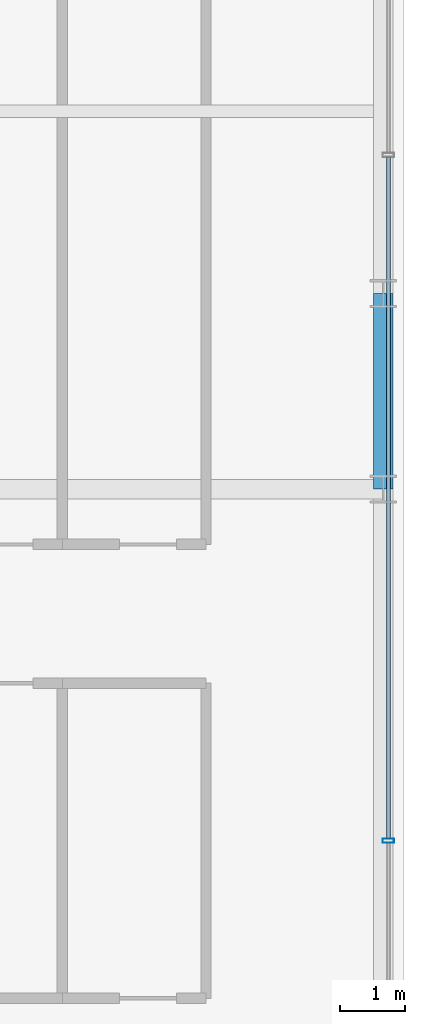
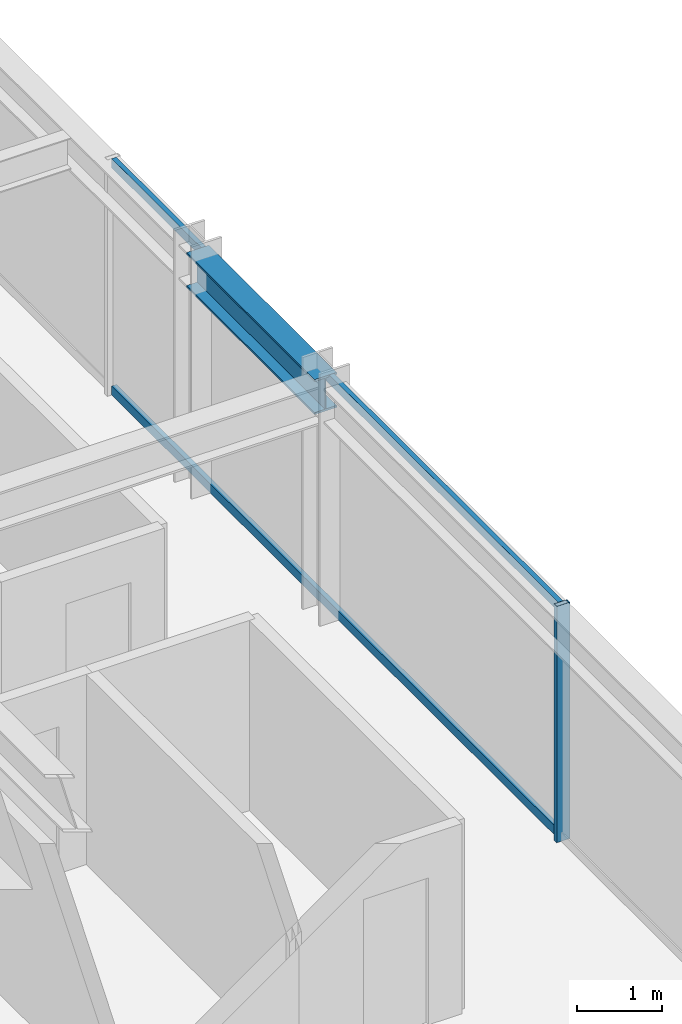
# One storey, part 15 of 40: 3 members, 1 beam, 1 element without a shape of its own.
"""IFC4 building model written with IfcOpenShell, lengths in metres."""

from ifc_helpers import new_model, si_unit, direction, frame, origin, origin_2d, place, context, subcontext, project, spatial, hollow_rectangle, i_section, extrude, source, transform, mapped, material, material_profile, profile_set, type_object, element, aggregate, save


model = new_model("IFC4")

# Units and contexts
model_context = context("Model", 3, precision=1e-05, world=origin(), true_north=direction((0.0, 1.0)))
body_context = subcontext(model_context, "Body", "Model", "MODEL_VIEW")
ifc_project = project(units=[si_unit("LENGTHUNIT", "METRE"), si_unit("AREAUNIT", "SQUARE_METRE"), si_unit("VOLUMEUNIT", "CUBIC_METRE"), si_unit("PLANEANGLEUNIT", "RADIAN"), si_unit("MASSUNIT", "GRAM", prefix="KILO")], contexts=[model_context])

# Site, building, storey
site_placement = place(None, origin())
site = spatial("IfcSite", under=ifc_project, at=site_placement, CompositionType="ELEMENT")
building_placement = place(site_placement, origin())
building = spatial("IfcBuilding", under=site, at=building_placement, Name="Nahalor Promenade Grand Hotel", CompositionType="ELEMENT")
storey_placement = place(building_placement, frame((0.0, 0.0, 91.949951171875)))
storey = spatial("IfcBuildingStorey", under=building, at=storey_placement, Name="L22", CompositionType="ELEMENT", Elevation=91.949951171875)

# Beam
ifc_material_1 = material(Name="Steel S355JR", Category="steel")
ifc_material_profile_1 = material_profile(ifc_material_1, i_section(OverallWidth=0.3, OverallDepth=0.5, WebThickness=0.0145, FlangeThickness=0.028, at=origin_2d()), Name="HEB 500")
ifc_profile_set_1 = profile_set([ifc_material_profile_1], Name="Steel S355JR")
beam_type = type_object("IfcBeamType", Name="Beam-Spandrel-HEB500", PredefinedType="SPANDREL", material=ifc_profile_set_1)
shared_shape_1 = source(origin(), body_context, "Body", "SweptSolid", [
    extrude(i_section(OverallWidth=0.3, OverallDepth=0.5, WebThickness=0.0145, FlangeThickness=0.028, at=origin_2d()), origin(), (0.0, 0.0, 1.0), 3.0),
])
beam_placement = place(storey_placement, frame((23.780029296875, 5.39990234375, 3.130126953125), z_axis=(0.0, 1.0, 0.0), x_axis=(-1.0, 0.0, 0.0)))
element("IfcBeam", 1, at=beam_placement, inside=storey, type_object=beam_type, Name="BM-L22-SP-E-3", PredefinedType="SPANDREL", context=body_context, shape_type="MappedRepresentation", body=[
    mapped(shared_shape_1, transform((0.0, 0.0, 0.0), scale=1.0)),
])

# Curtain wall, members
ifc_material_2 = material(Name="Anodised Bronze Aluminium EN AW-6063 T6", Category="aluminium")
curtain_wall_type = type_object("IfcCurtainWallType", Name="CW2 Typical Hotel Flush Bronze Unitised Curtain Wall", PredefinedType="USERDEFINED", material=ifc_material_2)
curtain_wall_placement = place(storey_placement, origin())
curtain_wall = element("IfcCurtainWall", 2, at=curtain_wall_placement, inside=storey, type_object=curtain_wall_type, Name="L22 Curtain Wall CW-L22-E-1", ObjectType="UNITISED_CURTAIN_WALL", PredefinedType="USERDEFINED")
ifc_material_profile_2 = material_profile(ifc_material_2, hollow_rectangle(XDim=0.065, YDim=0.13, WallThickness=0.004, at=origin_2d()), Name="CWT 65x130x4")
ifc_profile_set_2 = profile_set([ifc_material_profile_2], Name="Anodised Bronze Aluminium EN AW-6063 T6")
member_type_1 = type_object("IfcMemberType", Name="CWT2 Typical Bronze Transom 65x130", PredefinedType="USERDEFINED", material=ifc_profile_set_2)
shared_shape_2 = source(origin(), body_context, "Body", "SweptSolid", [
    extrude(hollow_rectangle(XDim=0.065, YDim=0.13, WallThickness=0.004, at=origin_2d()), origin(), (0.0, 0.0, 1.0), 10.465087890625),
])
member_1_placement = place(storey_placement, frame((23.860107421875, 0.032470703125, 0.06494140625), z_axis=(0.0, 1.0, 0.0), x_axis=(-1.0, 0.0, 0.0)))
member_1 = element("IfcMember", 3, at=member_1_placement, type_object=member_type_1, Name="CW-L22-E-1 Transom 2-0", ObjectType="TRANSOM", PredefinedType="USERDEFINED", context=body_context, shape_type="MappedRepresentation", body=[
    mapped(shared_shape_2, transform((0.0, 0.0, 0.0), scale=1.0)),
])
member_2_placement = place(storey_placement, frame((23.860107421875, 0.032470703125, 3.31494140625), z_axis=(0.0, 1.0, 0.0), x_axis=(-1.0, 0.0, 0.0)))
member_2 = element("IfcMember", 4, at=member_2_placement, type_object=member_type_1, Name="CW-L22-E-1 Transom 2-1", ObjectType="TRANSOM", PredefinedType="USERDEFINED", context=body_context, shape_type="MappedRepresentation", body=[
    mapped(shared_shape_2, transform((0.0, 0.0, 0.0), scale=1.0)),
])
ifc_material_profile_3 = material_profile(ifc_material_2, hollow_rectangle(XDim=0.065, YDim=0.18, WallThickness=0.004, at=origin_2d()), Name="CWM 65x180x4")
ifc_profile_set_3 = profile_set([ifc_material_profile_3], Name="Anodised Bronze Aluminium EN AW-6063 T6")
member_type_2 = type_object("IfcMemberType", Name="CWM2 Typical Bronze Mullion 65x180", PredefinedType="MULLION", material=ifc_profile_set_3)
shared_shape_3 = source(origin(), body_context, "Body", "SweptSolid", [
    extrude(hollow_rectangle(XDim=0.065, YDim=0.18, WallThickness=0.004, at=origin_2d()), origin(), (0.0, 0.0, 1.0), 3.380126953125),
])
member_3_placement = place(storey_placement, frame((23.860107421875, 0.0, 0.0), z_axis=(0.0, 0.0, 1.0), x_axis=(0.0, 1.0, 0.0)))
member_3 = element("IfcMember", 5, at=member_3_placement, type_object=member_type_2, Name="CW-L22-E-1 Mullion 2", PredefinedType="MULLION", context=body_context, shape_type="MappedRepresentation", body=[
    mapped(shared_shape_3, transform((0.0, 0.0, 0.0), scale=1.0)),
])
aggregate(curtain_wall, [member_3, member_1, member_2])

save(model, "model.ifc")
